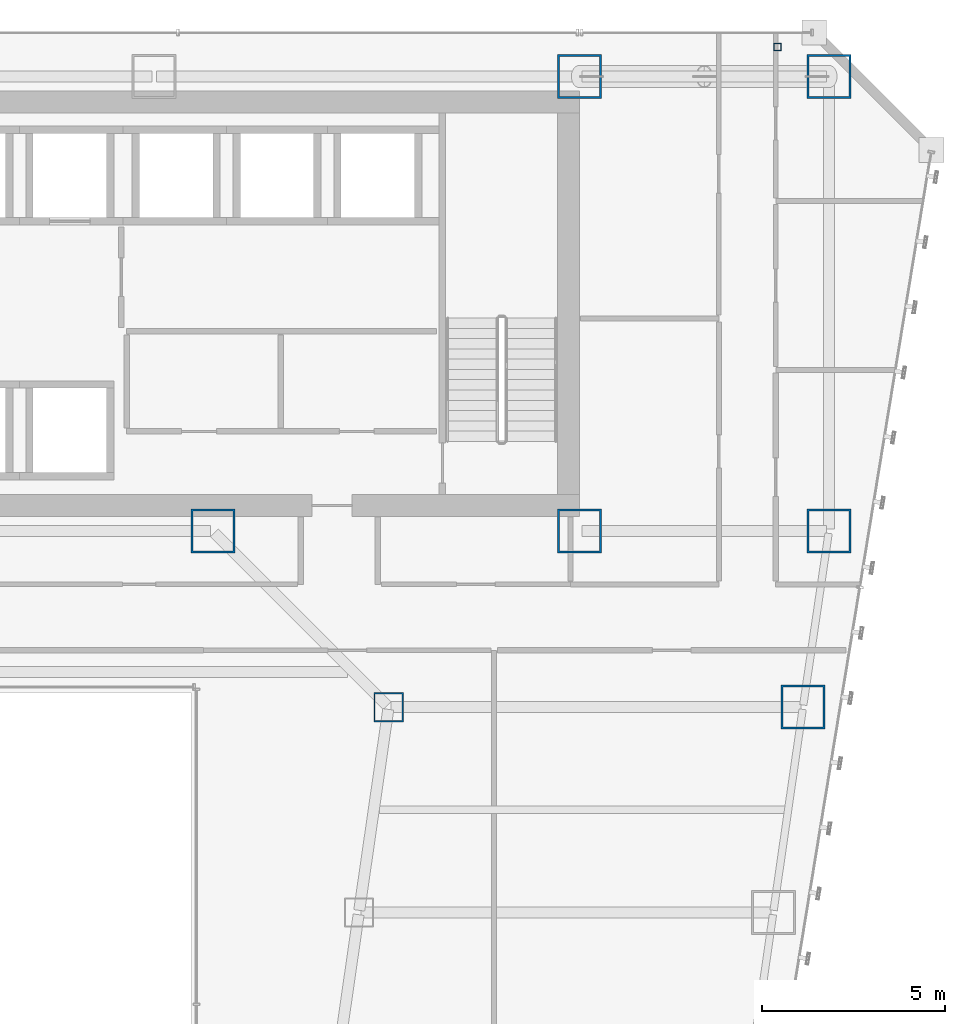
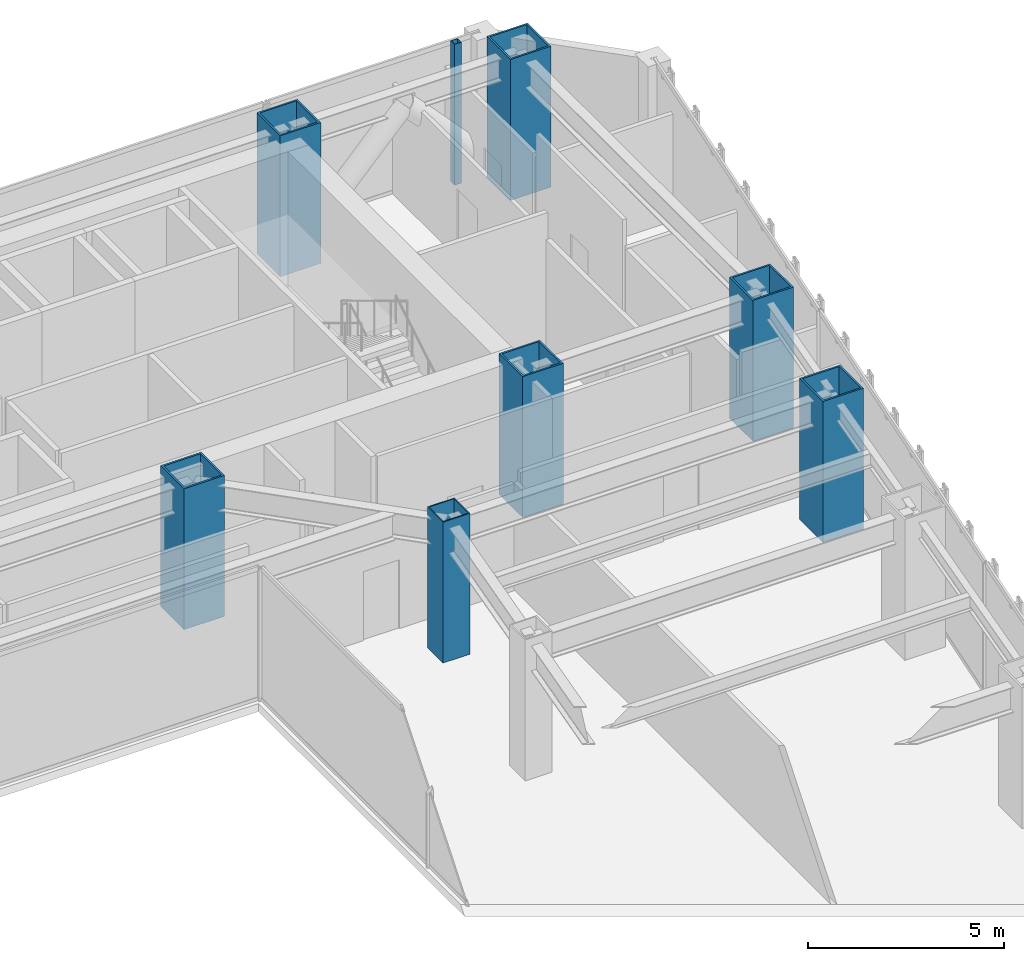
# One storey, part 3 of 47: 8 columns.
"""IFC4 building model written with IfcOpenShell, lengths in metres."""

from ifc_helpers import new_model, si_unit, direction, frame, origin, origin_2d, place, context, subcontext, project, spatial, hollow_rectangle, extrude, material, material_profile, profile_set, type_object, element, save


model = new_model("IFC4")

# Units and contexts
model_context = context("Model", 3, precision=1e-05, world=origin(), true_north=direction((0.0, 1.0)))
body_context = subcontext(model_context, "Body", "Model", "MODEL_VIEW")
ifc_project = project(units=[si_unit("LENGTHUNIT", "METRE"), si_unit("AREAUNIT", "SQUARE_METRE"), si_unit("VOLUMEUNIT", "CUBIC_METRE"), si_unit("PLANEANGLEUNIT", "RADIAN"), si_unit("MASSUNIT", "GRAM", prefix="KILO")], contexts=[model_context])

# Site, building, storey
site_placement = place(None, origin())
site = spatial("IfcSite", under=ifc_project, at=site_placement, CompositionType="ELEMENT")
building_placement = place(site_placement, origin())
building = spatial("IfcBuilding", under=site, at=building_placement, Name="Saevonmaru Cultural Tower", CompositionType="ELEMENT")
storey_placement = place(building_placement, frame((0.0, 0.0, 51.60009765625)))
storey = spatial("IfcBuildingStorey", under=building, at=storey_placement, Name="L10", CompositionType="ELEMENT", Elevation=51.60009765625)

# Columns
ifc_material_1 = material(Name="Steel HSA600 (600 MPa)", Category="steel")
ifc_material_profile_1 = material_profile(ifc_material_1, hollow_rectangle(XDim=1.199951171875, YDim=1.199951171875, WallThickness=0.054931640625, at=origin_2d()), Name="BOX-1200x1200x55")
ifc_profile_set_1 = profile_set([ifc_material_profile_1], Name="Steel HSA600 (600 MPa)")
column_type_1 = type_object("IfcColumnType", Name="COL-BOX-1200", PredefinedType="COLUMN", material=ifc_profile_set_1)
for number, where, z_axis, x_axis, name in (
    (1, (46.39990234375, 54.800048828125, 0.0), (0.0, 0.0, 1.0), (1.0, 0.0, 0.0), "L10 Column TC-N5N"),
    (2, (53.199951171875, 54.800048828125, 0.0), (0.0, 0.0, 1.0), (1.0, 0.0, 0.0), "L10 Column TC-N6N"),
    (3, (36.39990234375, 42.39990234375, 0.0), (0.0, 0.0, 1.0), (1.0, 0.0, 0.0), "L10 Column TC-S4C"),
    (4, (46.39990234375, 42.39990234375, 0.0), (0.0, 0.0, 1.0), (1.0, 0.0, 0.0), "L10 Column TC-S5C"),
    (5, (53.199951171875, 42.39990234375, 0.0), (0.0, 0.0, 1.0), (1.0, 0.0, 0.0), "L10 Column TC-S6C"),
    (6, (52.491943359375, 37.60009765625, 0.0), (0.0, 0.0, 1.0), (1.0, 0.0, 0.0), "L10 Column TC-EO-Y376"),
):
    element("IfcColumn", number, at=place(storey_placement, frame(where, z_axis=z_axis, x_axis=x_axis)), inside=storey, type_object=column_type_1, Name=name, PredefinedType="COLUMN", context=body_context, shape_type="SweptSolid", body=[
        extrude(hollow_rectangle(XDim=1.199951171875, YDim=1.199951171875, WallThickness=0.054931640625, at=origin_2d()), origin(), (0.0, 0.0, 1.0), 4.39990234375),
    ])
ifc_material_2 = material(Name="Steel SM420", Category="steel")
ifc_material_profile_2 = material_profile(ifc_material_2, hollow_rectangle(XDim=0.800048828125, YDim=0.800048828125, WallThickness=0.035888671875, at=origin_2d()), Name="BOX-800x800x36")
ifc_profile_set_2 = profile_set([ifc_material_profile_2], Name="Steel SM420")
column_type_2 = type_object("IfcColumnType", Name="COL-BOX-800", PredefinedType="COLUMN", material=ifc_profile_set_2)
column_1_placement = place(storey_placement, frame((41.19189453125, 37.60009765625, 0.0), z_axis=(0.0, 0.0, 1.0), x_axis=(1.0, 0.0, 0.0)))
element("IfcColumn", 7, at=column_1_placement, inside=storey, type_object=column_type_2, Name="L10 Column TC-EI-Y376", PredefinedType="COLUMN", context=body_context, shape_type="SweptSolid", body=[
    extrude(hollow_rectangle(XDim=0.800048828125, YDim=0.800048828125, WallThickness=0.035888671875, at=origin_2d()), origin(), (0.0, 0.0, 1.0), 4.39990234375),
])
ifc_material_3 = material(Name="Steel SM355", Category="steel")
ifc_material_profile_3 = material_profile(ifc_material_3, hollow_rectangle(XDim=0.199951171875, YDim=0.199951171875, WallThickness=0.010009765625, at=origin_2d()), Name="SHS-200x200x10")
ifc_profile_set_3 = profile_set([ifc_material_profile_3], Name="Steel SM355")
column_type_3 = type_object("IfcColumnType", Name="PIL-SHS-200", PredefinedType="PILASTER", material=ifc_profile_set_3)
column_2_placement = place(storey_placement, frame((51.800048828125, 55.60009765625, 0.0), z_axis=(0.0, 0.0, 1.0), x_axis=(1.0, 0.0, 0.0)))
element("IfcColumn", 8, at=column_2_placement, inside=storey, type_object=column_type_3, Name="L10 Art Deco Bronze-Clad Pilaster PIL-NE", PredefinedType="PILASTER", context=body_context, shape_type="SweptSolid", body=[
    extrude(hollow_rectangle(XDim=0.199951171875, YDim=0.199951171875, WallThickness=0.010009765625, at=origin_2d()), origin(), (0.0, 0.0, 1.0), 4.39990234375),
])

save(model, "model.ifc")
